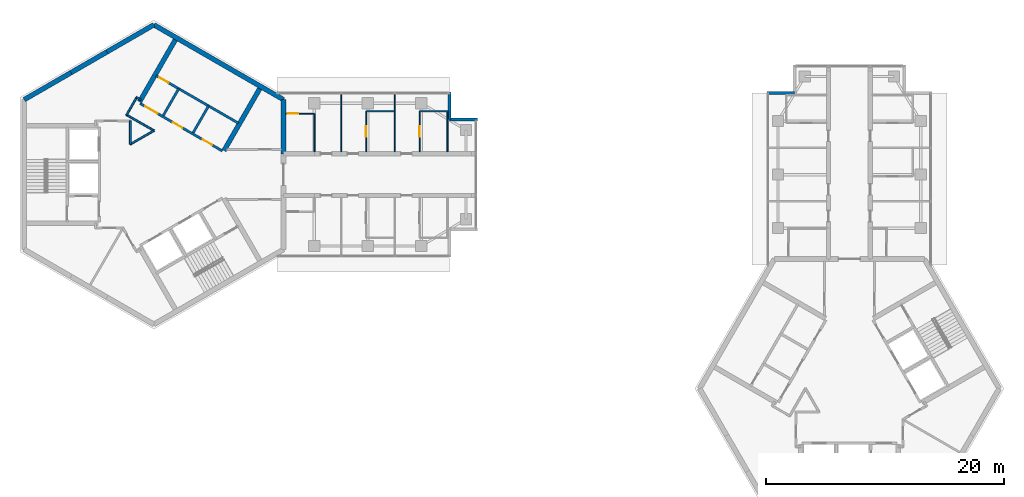
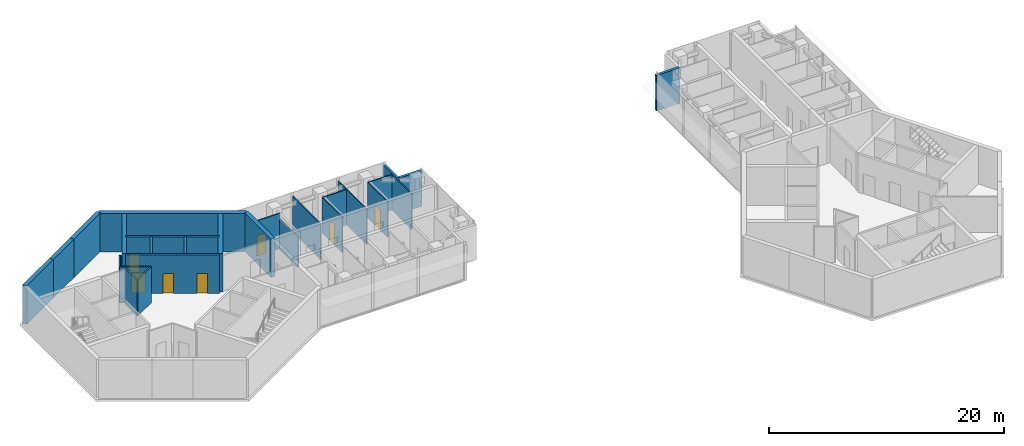
# One storey, part 7 of 11: 28 walls, 7 doors, 7 openings.
"""IFC4 building model written with IfcOpenShell, lengths in metres."""

from ifc_helpers import new_model, si_unit, direction, frame, frame_2d, origin, place, context, subcontext, project, spatial, rectangle, extrude, material, layer, layer_set, type_object, element, fill, save


model = new_model("IFC4")

# Units and contexts
model_context = context("Model", 3, precision=1e-05, world=origin(), true_north=direction((0.0, 1.0)))
body_context = subcontext(model_context, "Body", "Model", "MODEL_VIEW")
ifc_project = project(units=[si_unit("LENGTHUNIT", "METRE"), si_unit("AREAUNIT", "SQUARE_METRE"), si_unit("VOLUMEUNIT", "CUBIC_METRE"), si_unit("PLANEANGLEUNIT", "RADIAN"), si_unit("MASSUNIT", "GRAM", prefix="KILO")], contexts=[model_context])

# Site, building, storey
site_placement = place(None, origin())
site = spatial("IfcSite", under=ifc_project, at=site_placement, CompositionType="ELEMENT")
building_placement = place(site_placement, origin())
building = spatial("IfcBuilding", under=site, at=building_placement, Name="Upepo Twin Towers", CompositionType="ELEMENT")
storey_placement = place(building_placement, frame((0.0, 0.0, 287.5)))
storey = spatial("IfcBuildingStorey", under=building, at=storey_placement, Name="L70", CompositionType="ELEMENT", Elevation=287.5)

# Walls
ifc_material_1 = material(Name="Concrete C60/75", Category="concrete")
ifc_layer_1 = layer(ifc_material_1, 0.39990234375)
ifc_layer_set_1 = layer_set([ifc_layer_1], Name="Concrete C60/75")
wall_type_1 = type_object("IfcWallType", Name="Core wall 400 RC", PredefinedType="SHEAR", material=ifc_layer_set_1)
wall_1_placement = place(storey_placement, frame((10.908447265625, 1.75, 0.0), z_axis=(0.0, 0.0, 1.0), x_axis=(0.0, 1.0, 0.0)))
element("IfcWall", 1, at=wall_1_placement, inside=storey, type_object=wall_type_1, Name="T1 core wall 000 L", PredefinedType="SHEAR", context=body_context, shape_type="SweptSolid", body=[
    extrude(rectangle(XDim=4.5478515625, YDim=0.39990234375, at=frame_2d((2.27392578125, 0.0))), origin(), (0.0, 0.0, 1.0), 4.0),
])
wall_2_placement = place(storey_placement, frame((10.908447265625, 6.2978515625, 0.0), z_axis=(0.0, 0.0, 1.0), x_axis=(-0.866021940709, 0.500005998175, 0.0)))
element("IfcWall", 2, at=wall_2_placement, inside=storey, type_object=wall_type_1, Name="T1 core wall 060", PredefinedType="SHEAR", context=body_context, shape_type="SweptSolid", body=[
    extrude(rectangle(XDim=12.595947265625, YDim=0.39990234375, at=frame_2d((6.2978515625, 0.0))), origin(), (0.0, 0.0, 1.0), 4.0),
])
wall_3_placement = place(storey_placement, frame((0.0, 12.595947265625, 0.0), z_axis=(0.0, 0.0, 1.0), x_axis=(-0.866011268655, -0.500024481964, 0.0)))
element("IfcWall", 3, at=wall_3_placement, inside=storey, type_object=wall_type_1, Name="T1 core wall 120 R", PredefinedType="SHEAR", context=body_context, shape_type="SweptSolid", body=[
    extrude(rectangle(XDim=4.548095703125, YDim=0.39990234375, at=frame_2d((2.27392578125, 0.0))), origin(), (0.0, 0.0, 1.0), 4.0),
])
wall_4_placement = place(storey_placement, frame((-3.938720703125, 10.32177734375, 0.0), z_axis=(0.0, 0.0, 1.0), x_axis=(-0.866019471182, -0.500010275428, 0.0)))
element("IfcWall", 4, at=wall_4_placement, inside=storey, type_object=wall_type_1, Name="T1 core wall 120", PredefinedType="SHEAR", context=body_context, shape_type="SweptSolid", body=[
    extrude(rectangle(XDim=3.5, YDim=0.39990234375, at=frame_2d((1.75, 0.0))), origin(), (0.0, 0.0, 1.0), 4.0),
])
wall_5_placement = place(storey_placement, frame((-6.9697265625, 8.57177734375, 0.0), z_axis=(0.0, 0.0, 1.0), x_axis=(-0.866034513004, -0.499984222037, 0.0)))
element("IfcWall", 5, at=wall_5_placement, inside=storey, type_object=wall_type_1, Name="T1 core wall 120 L", PredefinedType="SHEAR", context=body_context, shape_type="SweptSolid", body=[
    extrude(rectangle(XDim=4.548095703125, YDim=0.39990234375, at=frame_2d((2.27392578125, 0.0))), origin(), (0.0, 0.0, 1.0), 4.0),
])
ifc_material_2 = material(Name="Blockwork with anodised aluminium cladding", Category="masonry")
ifc_layer_2 = layer(ifc_material_2, 0.25)
ifc_layer_set_2 = layer_set([ifc_layer_2], Name="Notch cladding wall 250, pale metal")
wall_type_2 = type_object("IfcWallType", Name="Notch cladding wall 250, pale metal", PredefinedType="STANDARD", material=ifc_layer_set_2)
for number, where, z_axis, x_axis, name in (
    (6, (24.875, 6.949951171875, 0.0), (0.0, 0.0, 1.0), (0.0, -1.0, 0.0), "T1 L70 wing A notch wall L1"),
    (7, (24.875, 4.625, 0.0), (0.0, 0.0, 1.0), (1.0, 0.0, 0.0), "T1 L70 wing A notch wall L2"),
    (8, (51.550048828125, 6.875, 0.0), (0.0, 0.0, 1.0), (1.0, 0.0, 0.0), "T2 L70 wing A notch wall L1"),
):
    element("IfcWall", number, at=place(storey_placement, frame(where, z_axis=z_axis, x_axis=x_axis)), inside=storey, type_object=wall_type_2, Name=name, PredefinedType="STANDARD", context=body_context, shape_type="SweptSolid", body=[
        extrude(rectangle(XDim=2.324951171875, YDim=0.25, at=frame_2d((1.16259765625, 0.0))), origin(), (0.0, 0.0, 1.0), 3.699951171875),
    ])
ifc_material_3 = material(Name="Gypsum board on steel studs", Category="steel")
ifc_layer_3 = layer(ifc_material_3, 0.10009765625)
ifc_layer_set_3 = layer_set([ifc_layer_3], Name="Office partition 100 stud")
wall_type_3 = type_object("IfcWallType", Name="Office partition 100 stud", PredefinedType="PARTITIONING", material=ifc_layer_set_3)
for number, where, z_axis, x_axis, name in (
    (9, (15.75, 1.925048828125, 0.0), (0.0, 0.0, 1.0), (0.0, 1.0, 0.0), "T1 partition AL at 15.75"),
    (10, (20.25, 1.925048828125, 0.0), (0.0, 0.0, 1.0), (0.0, 1.0, 0.0), "T1 partition AL at 20.25"),
):
    element("IfcWall", number, at=place(storey_placement, frame(where, z_axis=z_axis, x_axis=x_axis)), inside=storey, type_object=wall_type_3, Name=name, PredefinedType="PARTITIONING", context=body_context, shape_type="SweptSolid", body=[
        extrude(rectangle(XDim=4.824951171875, YDim=0.10009765625, at=frame_2d((2.41259765625, 0.0))), origin(), (0.0, 0.0, 1.0), 3.699951171875),
    ])
wall_6_placement = place(storey_placement, frame((17.85009765625, 5.324951171875, 0.0), z_axis=(0.0, 0.0, 1.0), x_axis=(1.0, 0.0, 0.0)))
element("IfcWall", 11, at=wall_6_placement, inside=storey, type_object=wall_type_3, Name="T1 inner room partition AL at 17.85", PredefinedType="PARTITIONING", context=body_context, shape_type="SweptSolid", body=[
    extrude(rectangle(XDim=2.39990234375, YDim=0.10009765625, at=frame_2d((1.199951171875, 0.0))), origin(), (0.0, 0.0, 1.0), 3.699951171875),
])

# Wall, opening, door
wall_7_placement = place(storey_placement, frame((17.85009765625, 1.925048828125, 0.0), z_axis=(0.0, 0.0, 1.0), x_axis=(0.0, 1.0, 0.0)))
wall_7 = element("IfcWall", 12, at=wall_7_placement, inside=storey, type_object=wall_type_3, Name="T1 inner room partition AL end at 17.85", PredefinedType="PARTITIONING", context=body_context, shape_type="SweptSolid", body=[
    extrude(rectangle(XDim=3.39990234375, YDim=0.10009765625, at=frame_2d((1.699951171875, 0.0))), origin(), (0.0, 0.0, 1.0), 3.699951171875),
])
opening_1_placement = place(wall_7_placement, frame((1.25, 0.0, 0.0)))
opening_1 = element("IfcOpeningElement", 13, at=opening_1_placement, cuts=wall_7, Name="Opening D14", PredefinedType="OPENING", context=body_context, shape_type="SweptSolid", body=[
    extrude(rectangle(XDim=0.89990234375, YDim=2.10009765625, at=frame_2d((0.449951171875, 1.050048828125))), frame((0.0, 0.06005859375, 0.0), z_axis=(0.0, -1.0, 0.0), x_axis=(1.0, 0.0, 0.0)), (0.0, 0.0, 1.0), 0.1201171875),
])
ifc_material_4 = material(Name="Timber doorset", Category="wood")
door_type_1 = type_object("IfcDoorType", Name="Office door 900 FD30", OperationType="SINGLE_SWING_LEFT", PredefinedType="DOOR", material=ifc_material_4)
door_1_placement = place(opening_1_placement, origin())
door_1 = element("IfcDoor", 14, at=door_1_placement, inside=storey, type_object=door_type_1, Name="T1 L70 inner room door", OperationType="SINGLE_SWING_LEFT", OverallHeight=2.10009765625, OverallWidth=0.89990234375, PredefinedType="DOOR", context=body_context, shape_type="SweptSolid", body=[
    extrude(rectangle(XDim=0.89990234375, YDim=2.10009765625, at=frame_2d((0.449951171875, 1.050048828125))), frame((0.0, 0.02490234375, 0.0), z_axis=(0.0, -1.0, 0.0), x_axis=(1.0, 0.0, 0.0)), (0.0, 0.0, 1.0), 0.050048828125),
])
fill(opening_1, door_1)

# Wall
wall_8_placement = place(storey_placement, frame((22.35009765625, 5.324951171875, 0.0), z_axis=(0.0, 0.0, 1.0), x_axis=(1.0, 0.0, 0.0)))
element("IfcWall", 15, at=wall_8_placement, inside=storey, type_object=wall_type_3, Name="T1 inner room partition AL at 22.35", PredefinedType="PARTITIONING", context=body_context, shape_type="SweptSolid", body=[
    extrude(rectangle(XDim=2.39990234375, YDim=0.10009765625, at=frame_2d((1.199951171875, 0.0))), origin(), (0.0, 0.0, 1.0), 3.699951171875),
])

# Wall, opening, door
wall_9_placement = place(storey_placement, frame((22.35009765625, 1.925048828125, 0.0), z_axis=(0.0, 0.0, 1.0), x_axis=(0.0, 1.0, 0.0)))
wall_9 = element("IfcWall", 16, at=wall_9_placement, inside=storey, type_object=wall_type_3, Name="T1 inner room partition AL end at 22.35", PredefinedType="PARTITIONING", context=body_context, shape_type="SweptSolid", body=[
    extrude(rectangle(XDim=3.39990234375, YDim=0.10009765625, at=frame_2d((1.699951171875, 0.0))), origin(), (0.0, 0.0, 1.0), 3.699951171875),
])
opening_2_placement = place(wall_9_placement, frame((1.25, 0.0, 0.0)))
opening_2 = element("IfcOpeningElement", 17, at=opening_2_placement, cuts=wall_9, Name="Opening D14", PredefinedType="OPENING", context=body_context, shape_type="SweptSolid", body=[
    extrude(rectangle(XDim=0.89990234375, YDim=2.10009765625, at=frame_2d((0.449951171875, 1.050048828125))), frame((0.0, 0.06005859375, 0.0), z_axis=(0.0, -1.0, 0.0), x_axis=(1.0, 0.0, 0.0)), (0.0, 0.0, 1.0), 0.1201171875),
])
door_2_placement = place(opening_2_placement, origin())
door_2 = element("IfcDoor", 18, at=door_2_placement, inside=storey, type_object=door_type_1, Name="T1 L70 inner room door", OperationType="SINGLE_SWING_LEFT", OverallHeight=2.10009765625, OverallWidth=0.89990234375, PredefinedType="DOOR", context=body_context, shape_type="SweptSolid", body=[
    extrude(rectangle(XDim=0.89990234375, YDim=2.10009765625, at=frame_2d((0.449951171875, 1.050048828125))), frame((0.0, 0.02490234375, 0.0), z_axis=(0.0, -1.0, 0.0), x_axis=(1.0, 0.0, 0.0)), (0.0, 0.0, 1.0), 0.050048828125),
])
fill(opening_2, door_2)

# Wall
wall_10_placement = place(storey_placement, frame((24.699951171875, 1.925048828125, 0.0), z_axis=(0.0, 0.0, 1.0), x_axis=(0.0, 1.0, 0.0)))
element("IfcWall", 19, at=wall_10_placement, inside=storey, type_object=wall_type_3, Name="T1 inner room partition AL end at 24.75", PredefinedType="PARTITIONING", context=body_context, shape_type="SweptSolid", body=[
    extrude(rectangle(XDim=3.39990234375, YDim=0.10009765625, at=frame_2d((1.699951171875, 0.0))), origin(), (0.0, 0.0, 1.0), 3.699951171875),
])

# Wall, opening, door
wall_11_placement = place(storey_placement, frame((11.10791015625, 5.125, 0.0), z_axis=(0.0, 0.0, 1.0), x_axis=(1.0, 0.0, 0.0)))
wall_11 = element("IfcWall", 20, at=wall_11_placement, inside=storey, type_object=wall_type_3, Name="T1 WC bay partition AL at 11.11", PredefinedType="PARTITIONING", context=body_context, shape_type="SweptSolid", body=[
    extrude(rectangle(XDim=2.400146484375, YDim=0.10009765625, at=frame_2d((1.2001953125, 0.0))), origin(), (0.0, 0.0, 1.0), 3.699951171875),
])
opening_3_placement = place(wall_11_placement, frame((0.14990234375, 0.0, 0.0)))
opening_3 = element("IfcOpeningElement", 21, at=opening_3_placement, cuts=wall_11, Name="Opening D14", PredefinedType="OPENING", context=body_context, shape_type="SweptSolid", body=[
    extrude(rectangle(XDim=0.89990234375, YDim=2.10009765625, at=frame_2d((0.449951171875, 1.050048828125))), frame((0.0, 0.06005859375, 0.0), z_axis=(0.0, -1.0, 0.0), x_axis=(1.0, 0.0, 0.0)), (0.0, 0.0, 1.0), 0.1201171875),
])
door_3_placement = place(opening_3_placement, origin())
door_3 = element("IfcDoor", 22, at=door_3_placement, inside=storey, type_object=door_type_1, Name="T1 L70 WC bay inner room door", OperationType="SINGLE_SWING_LEFT", OverallHeight=2.10009765625, OverallWidth=0.89990234375, PredefinedType="DOOR", context=body_context, shape_type="SweptSolid", body=[
    extrude(rectangle(XDim=0.89990234375, YDim=2.10009765625, at=frame_2d((0.449951171875, 1.050048828125))), frame((0.0, 0.02490234375, 0.0), z_axis=(0.0, -1.0, 0.0), x_axis=(1.0, 0.0, 0.0)), (0.0, 0.0, 1.0), 0.050048828125),
])
fill(opening_3, door_3)

# Wall
wall_12_placement = place(storey_placement, frame((13.508056640625, 1.925048828125, 0.0), z_axis=(0.0, 0.0, 1.0), x_axis=(0.0, 1.0, 0.0)))
element("IfcWall", 23, at=wall_12_placement, inside=storey, type_object=wall_type_3, Name="T1 WC bay partition AL end at 13.51", PredefinedType="PARTITIONING", context=body_context, shape_type="SweptSolid", body=[
    extrude(rectangle(XDim=3.199951171875, YDim=0.10009765625, at=frame_2d((1.60009765625, 0.0))), origin(), (0.0, 0.0, 1.0), 3.1669921875),
])

# Wall, openings, doors
ifc_material_5 = material(Name="Concrete C40/50", Category="concrete")
ifc_layer_4 = layer(ifc_material_5, 0.199951171875)
ifc_layer_set_4 = layer_set([ifc_layer_4], Name="Concrete C40/50")
wall_type_4 = type_object("IfcWallType", Name="Shaft wall 200 RC", PredefinedType="SHEAR", material=ifc_layer_set_4)
wall_13_placement = place(storey_placement, frame((5.76416015625, 1.983642578125, 0.0), z_axis=(0.0, 0.0, 1.0), x_axis=(-0.866026010844, 0.49999894854, 0.0)))
wall_13 = element("IfcWall", 24, at=wall_13_placement, inside=storey, type_object=wall_type_4, Name="T1 core W60 front wall", PredefinedType="SHEAR", context=body_context, shape_type="SweptSolid", body=[
    extrude(rectangle(XDim=8.0, YDim=0.199951171875, at=frame_2d((4.0, 0.0))), origin(), (0.0, 0.0, 1.0), 4.0),
])
opening_4_placement = place(wall_13_placement, frame((6.300048828125, 0.0, 0.0)))
opening_4 = element("IfcOpeningElement", 25, at=opening_4_placement, cuts=wall_13, Name="Opening D4", PredefinedType="OPENING", context=body_context, shape_type="SweptSolid", body=[
    extrude(rectangle(XDim=1.199951171875, YDim=2.10009765625, at=frame_2d((0.60009765625, 1.050048828125))), frame((0.0, 0.10986328125, 0.0), z_axis=(0.0, -1.0, 0.0), x_axis=(1.0, 0.0, 0.0)), (0.0, 0.0, 1.0), 0.219970703125),
])
opening_5_placement = place(wall_13_placement, frame((1.0, 0.0, 0.0)))
opening_5 = element("IfcOpeningElement", 26, at=opening_5_placement, cuts=wall_13, Name="Opening D9", PredefinedType="OPENING", context=body_context, shape_type="SweptSolid", body=[
    extrude(rectangle(XDim=0.89990234375, YDim=2.10009765625, at=frame_2d((0.449951171875, 1.050048828125))), frame((0.0, 0.10986328125, 0.0), z_axis=(0.0, -1.0, 0.0), x_axis=(1.0, 0.0, 0.0)), (0.0, 0.0, 1.0), 0.219970703125),
])
opening_6_placement = place(wall_13_placement, frame((3.89990234375, 0.0, 0.0)))
opening_6 = element("IfcOpeningElement", 27, at=opening_6_placement, cuts=wall_13, Name="Opening D9", PredefinedType="OPENING", context=body_context, shape_type="SweptSolid", body=[
    extrude(rectangle(XDim=0.89990234375, YDim=2.10009765625, at=frame_2d((0.449951171875, 1.050048828125))), frame((0.0, 0.10986328125, 0.0), z_axis=(0.0, -1.0, 0.0), x_axis=(1.0, 0.0, 0.0)), (0.0, 0.0, 1.0), 0.219970703125),
])
ifc_material_6 = material(Name="Timber doorset", Category="wood")
door_type_2 = type_object("IfcDoorType", Name="Lobby door 1200 FD60", OperationType="SINGLE_SWING_LEFT", PredefinedType="DOOR", material=ifc_material_6)
door_4_placement = place(opening_4_placement, origin())
door_4 = element("IfcDoor", 28, at=door_4_placement, inside=storey, type_object=door_type_2, Name="T1 L70 W60 lobby door", OperationType="SINGLE_SWING_RIGHT", OverallHeight=2.10009765625, OverallWidth=1.199951171875, PredefinedType="DOOR", context=body_context, shape_type="SweptSolid", body=[
    extrude(rectangle(XDim=1.199951171875, YDim=2.10009765625, at=frame_2d((0.60009765625, 1.050048828125))), frame((0.0, 0.02490234375, 0.0), z_axis=(0.0, -1.0, 0.0), x_axis=(1.0, 0.0, 0.0)), (0.0, 0.0, 1.0), 0.050048828125),
])
fill(opening_4, door_4)
ifc_material_7 = material(Name="Timber doorset", Category="wood")
door_type_3 = type_object("IfcDoorType", Name="Riser door 900 FD60", OperationType="SINGLE_SWING_LEFT", PredefinedType="DOOR", material=ifc_material_7)
door_5_placement = place(opening_5_placement, origin())
door_5 = element("IfcDoor", 29, at=door_5_placement, inside=storey, type_object=door_type_3, Name="T1 L70 it and communications room door", OperationType="SINGLE_SWING_LEFT", OverallHeight=2.10009765625, OverallWidth=0.89990234375, PredefinedType="DOOR", context=body_context, shape_type="SweptSolid", body=[
    extrude(rectangle(XDim=0.89990234375, YDim=2.10009765625, at=frame_2d((0.449951171875, 1.050048828125))), frame((0.0, 0.02490234375, 0.0), z_axis=(0.0, -1.0, 0.0), x_axis=(1.0, 0.0, 0.0)), (0.0, 0.0, 1.0), 0.050048828125),
])
fill(opening_5, door_5)
door_6_placement = place(opening_6_placement, origin())
door_6 = element("IfcDoor", 30, at=door_6_placement, inside=storey, type_object=door_type_3, Name="T1 L70 archive store door", OperationType="SINGLE_SWING_RIGHT", OverallHeight=2.10009765625, OverallWidth=0.89990234375, PredefinedType="DOOR", context=body_context, shape_type="SweptSolid", body=[
    extrude(rectangle(XDim=0.89990234375, YDim=2.10009765625, at=frame_2d((0.449951171875, 1.050048828125))), frame((0.0, 0.02490234375, 0.0), z_axis=(0.0, -1.0, 0.0), x_axis=(1.0, 0.0, 0.0)), (0.0, 0.0, 1.0), 0.050048828125),
])
fill(opening_6, door_6)

# Walls
for number, where, z_axis, x_axis, name in (
    (31, (3.302734375, 3.520263671875, 0.0), (0.0, 0.0, 1.0), (0.499936506574, 0.866062058628, 0.0), "T1 core W60 shaft divider"),
    (32, (0.791259765625, 4.97021484375, 0.0), (0.0, 0.0, 1.0), (0.499936506574, 0.866062058628, 0.0), "T1 core W60 lobby wall"),
):
    element("IfcWall", number, at=place(storey_placement, frame(where, z_axis=z_axis, x_axis=x_axis)), inside=storey, type_object=wall_type_4, Name=name, PredefinedType="SHEAR", context=body_context, shape_type="SweptSolid", body=[
        extrude(rectangle(XDim=2.599853515625, YDim=0.199951171875, at=frame_2d((1.2998046875, 0.0))), origin(), (0.0, 0.0, 1.0), 4.0),
    ])

# Wall, opening, door
wall_14_placement = place(storey_placement, frame((7.114013671875, 4.322021484375, 0.0), z_axis=(0.0, 0.0, 1.0), x_axis=(-0.866026010844, 0.49999894854, 0.0)))
wall_14 = element("IfcWall", 33, at=wall_14_placement, inside=storey, type_object=wall_type_4, Name="T1 core W60 stair wall", PredefinedType="SHEAR", context=body_context, shape_type="SweptSolid", body=[
    extrude(rectangle(XDim=8.0, YDim=0.199951171875, at=frame_2d((4.0, 0.0))), origin(), (0.0, 0.0, 1.0), 4.0),
])
opening_7_placement = place(wall_14_placement, frame((6.800048828125, 0.0, 0.0)))
opening_7 = element("IfcOpeningElement", 34, at=opening_7_placement, cuts=wall_14, Name="Opening D9", PredefinedType="OPENING", context=body_context, shape_type="SweptSolid", body=[
    extrude(rectangle(XDim=0.89990234375, YDim=2.10009765625, at=frame_2d((0.449951171875, 1.050048828125))), frame((0.0, 0.10986328125, 0.0), z_axis=(0.0, -1.0, 0.0), x_axis=(1.0, 0.0, 0.0)), (0.0, 0.0, 1.0), 0.219970703125),
])
door_7_placement = place(opening_7_placement, origin())
door_7 = element("IfcDoor", 35, at=door_7_placement, inside=storey, type_object=door_type_3, Name="T1 L70 riser door", OperationType="SINGLE_SWING_RIGHT", OverallHeight=2.10009765625, OverallWidth=0.89990234375, PredefinedType="DOOR", context=body_context, shape_type="SweptSolid", body=[
    extrude(rectangle(XDim=0.89990234375, YDim=2.10009765625, at=frame_2d((0.449951171875, 1.050048828125))), frame((0.0, 0.02490234375, 0.0), z_axis=(0.0, -1.0, 0.0), x_axis=(1.0, 0.0, 0.0)), (0.0, 0.0, 1.0), 0.050048828125),
])
fill(opening_7, door_7)

# Walls
ifc_material_8 = material(Name="Concrete C40/50", Category="concrete")
ifc_layer_5 = layer(ifc_material_8, 0.39990234375)
ifc_layer_set_5 = layer_set([ifc_layer_5], Name="Concrete C40/50")
wall_type_5 = type_object("IfcWallType", Name="Shaft wall 400 RC", PredefinedType="SHEAR", material=ifc_layer_set_5)
for number, where, z_axis, x_axis, name in (
    (36, (-1.20068359375, 6.120361328125, 0.0), (0.0, 0.0, 1.0), (0.499997979876, 0.866026570101, 0.0), "T1 core W60 side wall N"),
    (37, (5.900634765625, 2.020263671875, 0.0), (0.0, 0.0, 1.0), (0.499997979876, 0.866026570101, 0.0), "T1 core W60 side wall S"),
):
    element("IfcWall", number, at=place(storey_placement, frame(where, z_axis=z_axis, x_axis=x_axis)), inside=storey, type_object=wall_type_5, Name=name, PredefinedType="SHEAR", context=body_context, shape_type="SweptSolid", body=[
        extrude(rectangle(XDim=6.00830078125, YDim=0.39990234375, at=frame_2d((3.004150390625, 0.0))), origin(), (0.0, 0.0, 1.0), 4.0),
    ])
ifc_material_9 = material(Name="Gypsum board on steel studs", Category="steel")
ifc_layer_6 = layer(ifc_material_9, 0.14990234375)
ifc_layer_set_6 = layer_set([ifc_layer_6], Name="Teaching partition 150 acoustic")
wall_type_6 = type_object("IfcWallType", Name="Teaching partition 150 acoustic", PredefinedType="PARTITIONING", material=ifc_layer_set_6)
wall_15_placement = place(storey_placement, frame((-1.97509765625, 4.52001953125, 0.0), z_axis=(0.0, 0.0, 1.0), x_axis=(0.0, -1.0, 0.0)))
element("IfcWall", 38, at=wall_15_placement, inside=storey, type_object=wall_type_6, Name="T1 core room partition 6", PredefinedType="PARTITIONING", context=body_context, shape_type="SweptSolid", body=[
    extrude(rectangle(XDim=1.985107421875, YDim=0.14990234375, at=frame_2d((0.99267578125, 0.0))), origin(), (0.0, 0.0, 1.0), 3.699951171875),
])
wall_16_placement = place(storey_placement, frame((-1.992431640625, 2.544921875, 0.0), z_axis=(0.0, 0.0, 1.0), x_axis=(0.866059450854, 0.499941024108, 0.0)))
element("IfcWall", 39, at=wall_16_placement, inside=storey, type_object=wall_type_6, Name="T1 core room partition 7", PredefinedType="PARTITIONING", context=body_context, shape_type="SweptSolid", body=[
    extrude(rectangle(XDim=2.320556640625, YDim=0.14990234375, at=frame_2d((1.16015625, 0.0))), origin(), (0.0, 0.0, 1.0), 3.699951171875),
])
wall_17_placement = place(storey_placement, frame((0.017333984375, 3.68505859375, 0.0), z_axis=(0.0, 0.0, 1.0), x_axis=(-0.866036099759, 0.499981473571, 0.0)))
element("IfcWall", 40, at=wall_17_placement, inside=storey, type_object=wall_type_6, Name="T1 core room partition 8", PredefinedType="PARTITIONING", context=body_context, shape_type="SweptSolid", body=[
    extrude(rectangle(XDim=2.6923828125, YDim=0.14990234375, at=frame_2d((1.34619140625, 0.0))), origin(), (0.0, 0.0, 1.0), 3.699951171875),
])
wall_18_placement = place(storey_placement, frame((-2.30712890625, 5.00390625, 0.0), z_axis=(0.0, 0.0, 1.0), x_axis=(0.500062521093, 0.865989304205, 0.0)))
element("IfcWall", 41, at=wall_18_placement, inside=storey, type_object=wall_type_6, Name="T1 core room partition 9", PredefinedType="PARTITIONING", context=body_context, shape_type="SweptSolid", body=[
    extrude(rectangle(XDim=1.739990234375, YDim=0.14990234375, at=frame_2d((0.8701171875, 0.0))), origin(), (0.0, 0.0, 1.0), 3.699951171875),
])
wall_19_placement = place(storey_placement, frame((-1.46435546875, 6.50341796875, 0.0), z_axis=(0.0, 0.0, 1.0), x_axis=(0.866138304741, -0.499804398801, 0.0)))
element("IfcWall", 42, at=wall_19_placement, inside=storey, type_object=wall_type_6, Name="T1 core room partition 10", PredefinedType="PARTITIONING", context=body_context, shape_type="SweptSolid", body=[
    extrude(rectangle(XDim=0.429931640625, YDim=0.14990234375, at=frame_2d((0.21484375, 0.0))), origin(), (0.0, 0.0, 1.0), 3.699951171875),
])

save(model, "model.ifc")
